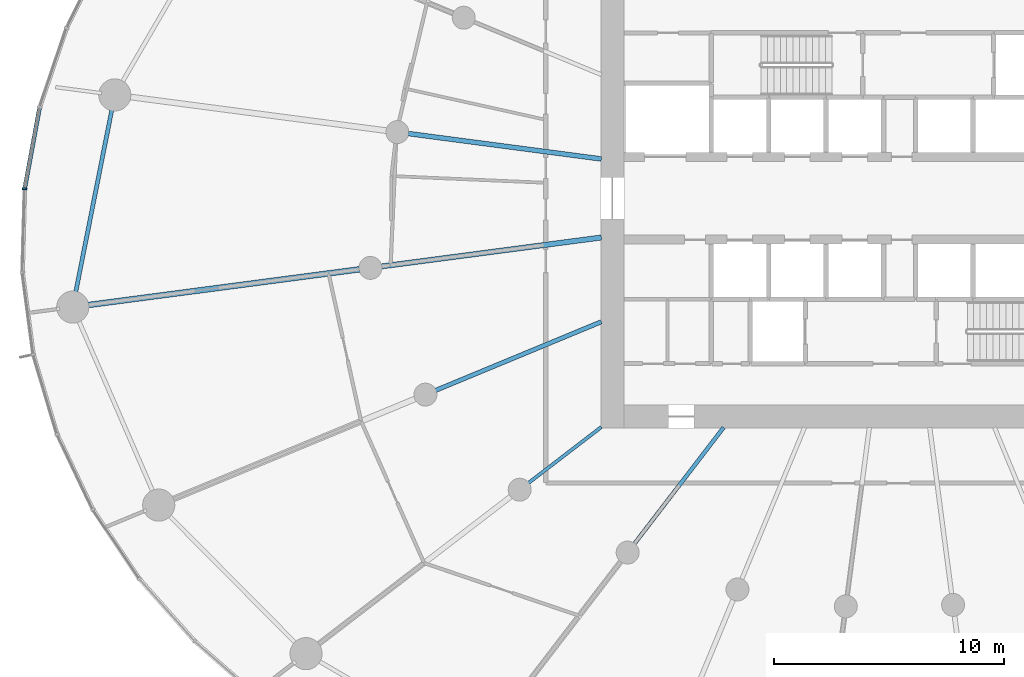
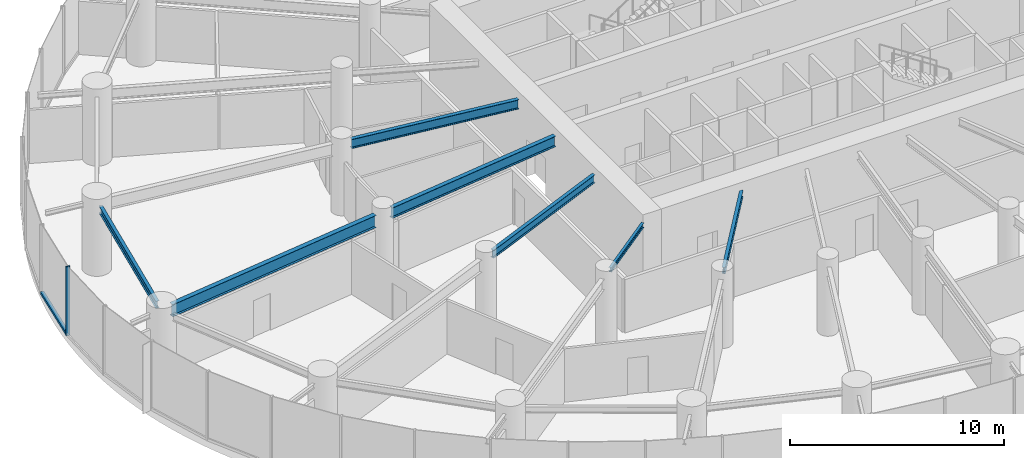
# One storey, part 3 of 18: 7 beams, 2 members, 1 element without a shape of its own.
"""IFC4 building model written with IfcOpenShell, lengths in metres."""

from ifc_helpers import new_model, si_unit, direction, frame, origin, origin_2d, place, context, subcontext, project, spatial, rectangle, i_section, extrude, source, transform, mapped, material, layer, layer_set, material_profile, profile_set, type_object, element, aggregate, save


model = new_model("IFC4")

# Units and contexts
model_context = context("Model", 3, precision=1e-05, world=origin(), true_north=direction((0.0, 1.0)))
body_context = subcontext(model_context, "Body", "Model", "MODEL_VIEW")
ifc_project = project(units=[si_unit("LENGTHUNIT", "METRE"), si_unit("AREAUNIT", "SQUARE_METRE"), si_unit("VOLUMEUNIT", "CUBIC_METRE"), si_unit("PLANEANGLEUNIT", "RADIAN"), si_unit("MASSUNIT", "GRAM", prefix="KILO")], contexts=[model_context])

# Site, building, storey
site_placement = place(None, origin())
site = spatial("IfcSite", under=ifc_project, at=site_placement, CompositionType="ELEMENT")
building_placement = place(site_placement, origin())
building = spatial("IfcBuilding", under=site, at=building_placement, Name="Spindrift Exchange Tower", CompositionType="ELEMENT")
storey_placement = place(building_placement, frame((0.0, 0.0, 40.199951171875)))
storey = spatial("IfcBuildingStorey", under=building, at=storey_placement, Name="L09", CompositionType="ELEMENT", Elevation=40.199951171875)

# Beams
ifc_material_1 = material(Name="Steel Grade 300", Category="steel")
ifc_material_profile_1 = material_profile(ifc_material_1, i_section(OverallWidth=0.22802734375, OverallDepth=0.60693359375, WebThickness=0.01123046875, FlangeThickness=0.017333984375, FilletRadius=0.013916015625, at=origin_2d()), Name="610UB113")
ifc_profile_set_1 = profile_set([ifc_material_profile_1], Name="Steel Grade 300")
beam_type_1 = type_object("IfcBeamType", Name="Floor Beam 610UB113 Steel Grade 300", PredefinedType="BEAM", material=ifc_profile_set_1)
shared_shape_1 = source(origin(), body_context, "Body", "SweptSolid", [
    extrude(i_section(OverallWidth=0.22802734375, OverallDepth=0.60693359375, WebThickness=0.01123046875, FlangeThickness=0.017333984375, FilletRadius=0.013916015625, at=origin_2d()), origin(), (0.0, 0.0, 1.0), 9.660400390625),
])
beam_1_placement = place(storey_placement, frame((39.019775390625, 46.291015625, 3.646484375), z_axis=(-0.99144767089, -0.130504850054, 0.0), x_axis=(0.130504850054, -0.99144767089, 0.0)))
element("IfcBeam", 1, at=beam_1_placement, inside=storey, type_object=beam_type_1, Name="L09 radial beam R13A", PredefinedType="BEAM", context=body_context, shape_type="MappedRepresentation", body=[
    mapped(shared_shape_1, transform((0.0, 0.0, 0.0), scale=1.0)),
])
ifc_material_profile_2 = material_profile(ifc_material_1, i_section(OverallWidth=0.25, OverallDepth=0.699951171875, WebThickness=0.008056640625, FlangeThickness=0.011962890625, at=origin_2d()), Name="700WB115")
ifc_profile_set_2 = profile_set([ifc_material_profile_2], Name="Steel Grade 300")
beam_type_2 = type_object("IfcBeamType", Name="Floor Beam 700WB115 Steel Grade 300", PredefinedType="BEAM", material=ifc_profile_set_2)
shared_shape_2 = source(origin(), body_context, "Body", "SweptSolid", [
    extrude(i_section(OverallWidth=0.25, OverallDepth=0.699951171875, WebThickness=0.008056640625, FlangeThickness=0.011962890625, at=origin_2d()), origin(), (0.0, 0.0, 1.0), 12.00830078125),
])
beam_2_placement = place(storey_placement, frame((28.490234375, 44.90478515625, 3.60009765625), z_axis=(-0.991444950947, -0.130525511844, 0.0), x_axis=(0.130525511844, -0.991444950947, 0.0)))
element("IfcBeam", 2, at=beam_2_placement, inside=storey, type_object=beam_type_2, Name="L09 radial beam R13B", PredefinedType="BEAM", context=body_context, shape_type="MappedRepresentation", body=[
    mapped(shared_shape_2, transform((0.0, 0.0, 0.0), scale=1.0)),
])
ifc_material_profile_3 = material_profile(ifc_material_1, i_section(OverallWidth=0.18994140625, OverallDepth=0.45703125, WebThickness=0.009033203125, FlangeThickness=0.014404296875, FilletRadius=0.013916015625, at=origin_2d()), Name="460UB74.6")
ifc_profile_set_3 = profile_set([ifc_material_profile_3], Name="Steel Grade 300")
beam_type_3 = type_object("IfcBeamType", Name="Floor Beam 460UB74.6 Steel Grade 300", PredefinedType="BEAM", material=ifc_profile_set_3)
shared_shape_3 = source(origin(), body_context, "Body", "SweptSolid", [
    extrude(i_section(OverallWidth=0.18994140625, OverallDepth=0.45703125, WebThickness=0.009033203125, FlangeThickness=0.014404296875, FilletRadius=0.013916015625, at=origin_2d()), origin(), (0.0, 0.0, 1.0), 7.808837890625),
])
beam_3_placement = place(storey_placement, frame((39.0185546875, 42.622802734375, 3.721435546875), z_axis=(-0.92387965154, -0.382683145003, 0.0), x_axis=(0.382683145003, -0.92387965154, 0.0)))
element("IfcBeam", 3, at=beam_3_placement, inside=storey, type_object=beam_type_3, Name="L09 radial beam R14A", PredefinedType="BEAM", context=body_context, shape_type="MappedRepresentation", body=[
    mapped(shared_shape_3, transform((0.0, 0.0, 0.0), scale=1.0)),
])
ifc_material_profile_4 = material_profile(ifc_material_1, i_section(OverallWidth=0.14599609375, OverallDepth=0.251953125, WebThickness=0.006103515625, FlangeThickness=0.008544921875, FilletRadius=0.011962890625, at=origin_2d()), Name="250UB31.4")
ifc_profile_set_4 = profile_set([ifc_material_profile_4], Name="Steel Grade 300")
beam_type_4 = type_object("IfcBeamType", Name="Floor Beam 250UB31.4 Steel Grade 300", PredefinedType="BEAM", material=ifc_profile_set_4)
shared_shape_4 = source(origin(), body_context, "Body", "SweptSolid", [
    extrude(i_section(OverallWidth=0.14599609375, OverallDepth=0.251953125, WebThickness=0.006103515625, FlangeThickness=0.008544921875, FilletRadius=0.011962890625, at=origin_2d()), origin(), (0.0, 0.0, 1.0), 3.99560546875),
])
beam_4_placement = place(storey_placement, frame((39.015869140625, 38.036865234375, 3.823974609375), z_axis=(-0.793352561574, -0.608762443851, 0.0), x_axis=(0.608762443851, -0.793352561574, 0.0)))
element("IfcBeam", 4, at=beam_4_placement, inside=storey, type_object=beam_type_4, Name="L09 radial beam R15A", PredefinedType="BEAM", context=body_context, shape_type="MappedRepresentation", body=[
    mapped(shared_shape_4, transform((0.0, 0.0, 0.0), scale=1.0)),
])
ifc_material_profile_5 = material_profile(ifc_material_1, i_section(OverallWidth=0.172119140625, OverallDepth=0.35888671875, WebThickness=0.008056640625, FlangeThickness=0.012939453125, FilletRadius=0.013916015625, at=origin_2d()), Name="360UB56.7")
ifc_profile_set_5 = profile_set([ifc_material_profile_5], Name="Steel Grade 300")
beam_type_5 = type_object("IfcBeamType", Name="Floor Beam 360UB56.7 Steel Grade 300", PredefinedType="BEAM", material=ifc_profile_set_5)
shared_shape_5 = source(origin(), body_context, "Body", "SweptSolid", [
    extrude(i_section(OverallWidth=0.172119140625, OverallDepth=0.35888671875, WebThickness=0.008056640625, FlangeThickness=0.012939453125, FilletRadius=0.013916015625, at=origin_2d()), origin(), (0.0, 0.0, 1.0), 6.37646484375),
])
beam_5_placement = place(storey_placement, frame((44.3388671875, 38.015869140625, 3.7705078125), z_axis=(-0.608766669952, -0.793349318747, 0.0), x_axis=(0.793349318747, -0.608766669952, 0.0)))
element("IfcBeam", 5, at=beam_5_placement, inside=storey, type_object=beam_type_5, Name="L09 radial beam R16A", PredefinedType="BEAM", context=body_context, shape_type="MappedRepresentation", body=[
    mapped(shared_shape_5, transform((0.0, 0.0, 0.0), scale=1.0)),
])
ifc_material_profile_6 = material_profile(ifc_material_1, i_section(OverallWidth=0.208984375, OverallDepth=0.532958984375, WebThickness=0.01025390625, FlangeThickness=0.015625, FilletRadius=0.013916015625, at=origin_2d()), Name="530UB92.4")
ifc_profile_set_6 = profile_set([ifc_material_profile_6], Name="Steel Grade 300")
beam_type_6 = type_object("IfcBeamType", Name="Floor Beam 530UB92.4 Steel Grade 300", PredefinedType="BEAM", material=ifc_profile_set_6)
shared_shape_6 = source(origin(), body_context, "Body", "SweptSolid", [
    extrude(i_section(OverallWidth=0.208984375, OverallDepth=0.532958984375, WebThickness=0.01025390625, FlangeThickness=0.015625, FilletRadius=0.013916015625, at=origin_2d()), origin(), (0.0, 0.0, 1.0), 8.4794921875),
])
beam_6_placement = place(storey_placement, frame((39.019775390625, 49.708984375, 3.68359375), z_axis=(-0.991446551951, 0.13051335037, 0.0), x_axis=(-0.13051335037, -0.991446551951, 0.0)))
element("IfcBeam", 6, at=beam_6_placement, inside=storey, type_object=beam_type_6, Name="L09 radial beam R12A", PredefinedType="BEAM", context=body_context, shape_type="MappedRepresentation", body=[
    mapped(shared_shape_6, transform((0.0, 0.0, 0.0), scale=1.0)),
])
ifc_material_profile_7 = material_profile(ifc_material_1, i_section(OverallWidth=0.177978515625, OverallDepth=0.406005859375, WebThickness=0.0078125, FlangeThickness=0.0126953125, FilletRadius=0.013916015625, at=origin_2d()), Name="410UB59.7")
ifc_profile_set_7 = profile_set([ifc_material_profile_7], Name="Steel Grade 300")
beam_type_7 = type_object("IfcBeamType", Name="Edge Beam 410UB59.7 Steel Grade 300", PredefinedType="SPANDREL", material=ifc_profile_set_7)
shared_shape_7 = source(origin(), body_context, "Body", "SweptSolid", [
    extrude(i_section(OverallWidth=0.177978515625, OverallDepth=0.406005859375, WebThickness=0.0078125, FlangeThickness=0.0126953125, FilletRadius=0.013916015625, at=origin_2d()), origin(), (0.0, 0.0, 1.0), 8.2548828125),
])
beam_7_placement = place(storey_placement, frame((17.72607421875, 51.928466796875, 3.7470703125), z_axis=(-0.194278723288, -0.9809463684, 0.0), x_axis=(0.9809463684, -0.194278723288, 0.0)))
element("IfcBeam", 7, at=beam_7_placement, inside=storey, type_object=beam_type_7, Name="L09 edge beam E12", PredefinedType="SPANDREL", context=body_context, shape_type="MappedRepresentation", body=[
    mapped(shared_shape_7, transform((0.0, 0.0, 0.0), scale=1.0)),
])

# Curtain wall, members
ifc_material_2 = material(Name="Fritted laminated glass with bronze frame", Category="glass")
ifc_layer = layer(ifc_material_2, 0.199951171875)
ifc_layer_set = layer_set([ifc_layer], Name="ZONE 1 BRONZE FRITTED WALL")
curtain_wall_type = type_object("IfcCurtainWallType", Name="ZONE 1 BRONZE FRITTED WALL", PredefinedType="NOTDEFINED", material=ifc_layer_set)
curtain_wall_placement = place(storey_placement, origin())
curtain_wall = element("IfcCurtainWall", 8, at=curtain_wall_placement, inside=storey, type_object=curtain_wall_type, Name="L09 Zone 1 Bronze Fritted Wall run 5", PredefinedType="NOTDEFINED")
ifc_material_3 = material(Name="Bronze anodised aluminium", Category="aluminium")
ifc_material_profile_8 = material_profile(ifc_material_3, rectangle(XDim=0.080078125, YDim=0.199951171875, at=origin_2d()), Name="ZONE 1 BRONZE FRITTED WALL MULLION 80X200")
ifc_profile_set_8 = profile_set([ifc_material_profile_8], Name="Bronze anodised aluminium")
member_type_1 = type_object("IfcMemberType", Name="ZONE 1 BRONZE FRITTED WALL MULLION 80X200", PredefinedType="MULLION", material=ifc_profile_set_8)
shared_shape_8 = source(origin(), body_context, "Body", "SweptSolid", [
    extrude(rectangle(XDim=0.080078125, YDim=0.199951171875, at=origin_2d()), origin(), (0.0, 0.0, 1.0), 3.949951171875),
])
member_1_placement = place(storey_placement, frame((13.91455078125, 48.40771484375, 0.0), z_axis=(0.0, 0.0, 1.0), x_axis=(-0.104457590339, -0.99452934186, 0.0)))
member_1 = element("IfcMember", 9, at=member_1_placement, type_object=member_type_1, Name="L09 mullion CW-1.29", PredefinedType="MULLION", context=body_context, shape_type="MappedRepresentation", body=[
    mapped(shared_shape_8, transform((0.0, 0.0, 0.0), scale=1.0)),
])
ifc_material_profile_9 = material_profile(ifc_material_3, rectangle(XDim=0.179931640625, YDim=0.14990234375, at=origin_2d()), Name="ZONE 1 BRONZE FRITTED WALL TRANSOM 180X150")
ifc_profile_set_9 = profile_set([ifc_material_profile_9], Name="Bronze anodised aluminium")
member_type_2 = type_object("IfcMemberType", Name="ZONE 1 BRONZE FRITTED WALL TRANSOM 180X150", PredefinedType="USERDEFINED", material=ifc_profile_set_9)
shared_shape_9 = source(origin(), body_context, "Body", "SweptSolid", [
    extrude(rectangle(XDim=0.179931640625, YDim=0.14990234375, at=origin_2d()), origin(), (0.0, 0.0, 1.0), 3.544677734375),
])
member_2_placement = place(storey_placement, frame((14.5625, 51.933349609375, 0.074951171875), z_axis=(-0.180794289097, -0.983520932685, 0.0), x_axis=(0.983520932685, -0.180794289097, 0.0)))
member_2 = element("IfcMember", 10, at=member_2_placement, type_object=member_type_2, Name="L09 transom CW-1.28", ObjectType="TRANSOM", PredefinedType="USERDEFINED", context=body_context, shape_type="MappedRepresentation", body=[
    mapped(shared_shape_9, transform((0.0, 0.0, 0.0), scale=1.0)),
])
aggregate(curtain_wall, [member_2, member_1])

save(model, "model.ifc")
